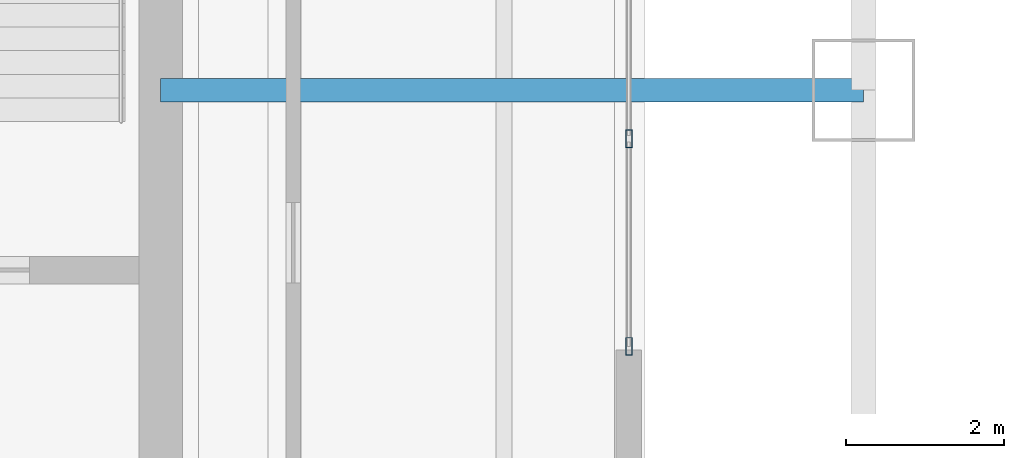
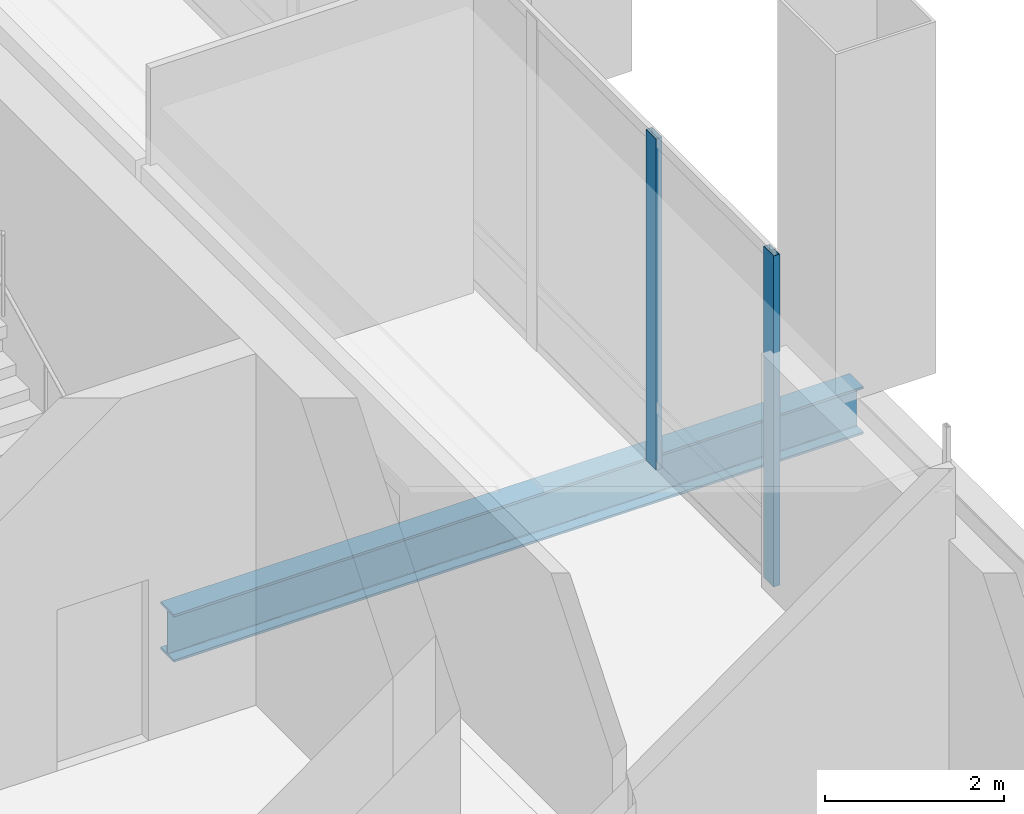
# One storey, part 12 of 33: 2 members, 1 beam, 1 element without a shape of its own.
"""IFC4 building model written with IfcOpenShell, lengths in metres."""

import ifcopenshell
import ifcopenshell.guid

model = None  # the IFC model being written
_history = None  # IfcOwnerHistory: only IFC2X3 demands one
_inside = {}  # id of a spatial element -> (the spatial element, [elements in it])
_under = {}  # id of a project, library or spatial element -> (it, [spatial elements below it])
_declared = {}  # id of a project -> (the project, [libraries it declares])
_typed = {}  # id of a type object -> (the type object, [elements of that type])
_made_of = {}  # id of a material, layer set ... -> (it, [elements and type objects made of it])


def new_model(schema):
    """Start an empty IFC model of exactly this schema.

    Asked for "IFC4X3", IfcOpenShell would pick the latest addendum, in which some entities
    have other attributes; the version numbers below select the first issue.
    IFC2X3 requires an IfcOwnerHistory on every rooted entity: one is made here for all.
    """
    global model, _history
    if schema == "IFC4X3":
        model = ifcopenshell.file(schema_version=(4, 3, 0, 0))
    else:
        model = ifcopenshell.file(schema=schema)
    _inside.clear()
    _under.clear()
    _declared.clear()
    _typed.clear()
    _made_of.clear()
    _history = None
    if model.schema == "IFC2X3":
        org = make("IfcOrganization", Name="unknown")
        user = make(
            "IfcPersonAndOrganization",
            ThePerson=make("IfcPerson", FamilyName="unknown"),
            TheOrganization=org,
        )
        app = make(
            "IfcApplication",
            ApplicationDeveloper=org,
            Version="unknown",
            ApplicationFullName="unknown",
            ApplicationIdentifier="unknown",
        )
        _history = make(
            "IfcOwnerHistory",
            OwningUser=user,
            OwningApplication=app,
            ChangeAction="ADDED",
            CreationDate=0,
        )
    return model


def make(cls, **values):
    """One entity of the class cls with the attributes given. An attribute that is None is left unset."""
    return model.create_entity(
        cls, **{name: value for name, value in values.items() if value is not None}
    )


def rooted(cls, **values):
    """An entity with a GlobalId (a new one), such as an element, a storey or a relation."""
    return make(cls, GlobalId=ifcopenshell.guid.new(), OwnerHistory=_history, **values)


def si_unit(unit_type, name, prefix=None):
    """IfcSIUnit, for example si_unit("LENGTHUNIT", "METRE", prefix="MILLI")."""
    return make("IfcSIUnit", UnitType=unit_type, Prefix=prefix, Name=name)


def assignment(units):
    """IfcUnitAssignment: the units of a project."""
    return None if units is None else make("IfcUnitAssignment", Units=units)


def point(xyz):
    """IfcCartesianPoint."""
    return None if xyz is None else make("IfcCartesianPoint", Coordinates=xyz)


def direction(xyz):
    """IfcDirection."""
    return None if xyz is None else make("IfcDirection", DirectionRatios=xyz)


def frame(location, z_axis=None, x_axis=None):
    """IfcAxis2Placement3D, a coordinate frame: its origin and axes. An axis left out is left unset."""
    return make(
        "IfcAxis2Placement3D",
        Location=point(location),
        Axis=direction(z_axis),
        RefDirection=direction(x_axis),
    )


def frame_2d(location, x_axis=None):
    """IfcAxis2Placement2D, a coordinate frame in the plane: its origin and x axis."""
    return make(
        "IfcAxis2Placement2D", Location=point(location), RefDirection=direction(x_axis)
    )


def origin():
    """The frame at (0, 0, 0) with its axes left unset."""
    return frame((0.0, 0.0, 0.0))


def origin_2d():
    """The frame at (0, 0) in the plane with its x axis left unset."""
    return frame_2d((0.0, 0.0))


def place(relative_to, where):
    """IfcLocalPlacement: puts the frame where relative to a parent placement (None: the world)."""
    return make(
        "IfcLocalPlacement", PlacementRelTo=relative_to, RelativePlacement=where
    )


def context(
    kind, dimensions, precision=None, world=None, true_north=None, identifier=None
):
    """IfcGeometricRepresentationContext, for example the 3D "Model" context."""
    return make(
        "IfcGeometricRepresentationContext",
        ContextIdentifier=identifier,
        ContextType=kind,
        CoordinateSpaceDimension=dimensions,
        Precision=precision,
        WorldCoordinateSystem=world,
        TrueNorth=true_north,
    )


def subcontext(parent, identifier, kind, view, scale=None):
    """IfcGeometricRepresentationSubContext, for example "Body" below "Model"."""
    return make(
        "IfcGeometricRepresentationSubContext",
        ContextIdentifier=identifier,
        ContextType=kind,
        ParentContext=parent,
        TargetScale=scale,
        TargetView=view,
    )


def project(units=None, contexts=None):
    """IfcProject with its units and contexts."""
    return rooted(
        "IfcProject",
        Name="project",
        RepresentationContexts=contexts,
        UnitsInContext=assignment(units),
    )


def spatial(cls, under=None, at=None, **own):
    """A site, building, storey or space (cls), placed at a placement, below another one or the project."""
    s = rooted(cls, ObjectPlacement=at, **own)
    if under is not None:
        _under.setdefault(under.id(), (under, []))[1].append(s)
    return s


def profile(cls, at=None, kind="AREA", **sizes):
    """A parametric profile (cls). Its sizes go by their IFC names, for example OverallWidth=200.0."""
    return make(cls, ProfileType=kind, Position=at, **sizes)


def hollow_rectangle(**sizes):
    """IfcRectangleHollowProfileDef."""
    return profile("IfcRectangleHollowProfileDef", **sizes)


def i_section(**sizes):
    """IfcIShapeProfileDef."""
    return profile("IfcIShapeProfileDef", **sizes)


def extrude(swept, where, along, depth):
    """IfcExtrudedAreaSolid: the profile swept, set in the frame where, extruded along a direction by depth."""
    return make(
        "IfcExtrudedAreaSolid",
        SweptArea=swept,
        Position=where,
        ExtrudedDirection=direction(along),
        Depth=depth,
    )


def shape(context_of_items, identifier, shape_type, items):
    """IfcShapeRepresentation: the items that make up one representation, for example the "Body"."""
    return make(
        "IfcShapeRepresentation",
        ContextOfItems=context_of_items,
        RepresentationIdentifier=identifier,
        RepresentationType=shape_type,
        Items=items,
    )


def material(Name=None, Category=None):
    """IfcMaterial."""
    return make("IfcMaterial", Name=Name, Category=Category)


def material_profile(
    of_material, cross_section, Name=None, Category=None, Priority=None
):
    """IfcMaterialProfile: a cross section and its material."""
    return make(
        "IfcMaterialProfile",
        Name=Name,
        Material=of_material,
        Profile=cross_section,
        Priority=Priority,
        Category=Category,
    )


def profile_set(profiles, Name=None, composite=None):
    """IfcMaterialProfileSet."""
    return make(
        "IfcMaterialProfileSet",
        Name=Name,
        MaterialProfiles=profiles,
        CompositeProfile=composite,
    )


def made_of(thing, what):
    """Note that an element or type object is made of a material, layer set ...; save() writes the relation."""
    if what is not None:
        _made_of.setdefault(what.id(), (what, []))[1].append(thing)
    return thing


def type_object(cls, material=None, **own):
    """A type object (cls), such as IfcWallType, which elements share."""
    return made_of(rooted(cls, **own), material)


def element(
    cls,
    number,
    at=None,
    inside=None,
    cuts=None,
    type_object=None,
    material=None,
    context=None,
    identifier="Body",
    shape_type=None,
    held_by="IfcProductDefinitionShape",
    body=None,
    shapes=None,
    **own,
):
    """One element of the class cls, such as IfcWall. Its Tag is "e" and its number.

    at: its placement. inside: the storey or other place that contains it. cuts: it is an
    opening in that element (IfcRelVoidsElement). A single representation is given by context,
    identifier, shape_type and body (its items); several are given by shapes. held_by: the class
    of the entity that holds the representations. save() writes the other relations.
    """
    e = rooted(cls, Tag="e%d" % number, ObjectPlacement=at, **own)
    if body is not None:
        shapes = [shape(context, identifier, shape_type, body)]
    if shapes is not None:
        e.Representation = make(held_by, Representations=shapes)
    if inside is not None:
        _inside.setdefault(inside.id(), (inside, []))[1].append(e)
    if cuts is not None:
        rooted(
            "IfcRelVoidsElement", RelatingBuildingElement=cuts, RelatedOpeningElement=e
        )
    if type_object is not None:
        _typed.setdefault(type_object.id(), (type_object, []))[1].append(e)
    return made_of(e, material)


def aggregate(whole, parts):
    """IfcRelAggregates: a whole, such as a stair, and the parts it consists of."""
    return rooted("IfcRelAggregates", RelatingObject=whole, RelatedObjects=parts)


def save(model, path):
    """Write the relations noted so far, then the file.

    IfcRelAggregates (storeys below a building ...), IfcRelContainedInSpatialStructure (elements
    in a storey), IfcRelDefinesByType, IfcRelAssociatesMaterial and IfcRelDeclares: one each for
    every whole, place, type object, material and project.
    """
    for whole, parts in _under.values():
        aggregate(whole, parts)
    for where, things in _inside.values():
        rooted(
            "IfcRelContainedInSpatialStructure",
            RelatedElements=things,
            RelatingStructure=where,
        )
    for kind, things in _typed.values():
        rooted("IfcRelDefinesByType", RelatedObjects=things, RelatingType=kind)
    for what, things in _made_of.values():
        rooted("IfcRelAssociatesMaterial", RelatedObjects=things, RelatingMaterial=what)
    for by, libraries in _declared.values():
        rooted("IfcRelDeclares", RelatingContext=by, RelatedDefinitions=libraries)
    model.write(path)


model = new_model("IFC4")

# Units and contexts
model_context = context("Model", 3, precision=1e-05, world=origin(), true_north=direction((0.0, 1.0)))
body_context = subcontext(model_context, "Body", "Model", "MODEL_VIEW")
ifc_project = project(units=[si_unit("LENGTHUNIT", "METRE"), si_unit("AREAUNIT", "SQUARE_METRE"), si_unit("VOLUMEUNIT", "CUBIC_METRE"), si_unit("PLANEANGLEUNIT", "RADIAN"), si_unit("MASSUNIT", "GRAM", prefix="KILO")], contexts=[model_context])

# Site, building, storey
site_placement = place(None, origin())
site = spatial("IfcSite", under=ifc_project, at=site_placement, CompositionType="ELEMENT")
building_placement = place(site_placement, origin())
building = spatial("IfcBuilding", under=site, at=building_placement, Name="Punatoya Terracotta Tower", CompositionType="ELEMENT")
storey_placement = place(building_placement, frame((0.0, 0.0, 246.60009765625)))
storey = spatial("IfcBuildingStorey", under=building, at=storey_placement, Name="L58", CompositionType="ELEMENT", Elevation=246.60009765625)

# Beam
ifc_material_1 = material(Name="Steel S355", Category="steel")
ifc_material_profile_1 = material_profile(ifc_material_1, i_section(OverallWidth=0.300048828125, OverallDepth=0.64990234375, WebThickness=0.01611328125, FlangeThickness=0.031005859375, FilletRadius=0.01806640625, at=origin_2d()))
ifc_profile_set_1 = profile_set([ifc_material_profile_1], Name="Steel S355")
beam_type = type_object("IfcBeamType", Name="BM-PRI-650", PredefinedType="BEAM", material=ifc_profile_set_1)
beam_placement = place(storey_placement, frame((10.199951171875, -3.39990234375, -0.585205078125), z_axis=(1.0, 0.0, 0.0), x_axis=(0.0, 1.0, 0.0)))
element("IfcBeam", 1, at=beam_placement, inside=storey, type_object=beam_type, Name="BM-L58-PR-ED", PredefinedType="BEAM", context=body_context, shape_type="SweptSolid", body=[
    extrude(i_section(OverallWidth=0.300048828125, OverallDepth=0.64990234375, WebThickness=0.01611328125, FlangeThickness=0.031005859375, FilletRadius=0.01806640625, at=origin_2d()), origin(), (0.0, 0.0, 1.0), 8.900146484375),
])

# Curtain wall, members
ifc_material_2 = material(Name="Aluminium 6063-T6 + Double Low-E Glass", Category="aluminium")
curtain_wall_type = type_object("IfcCurtainWallType", Name="CW-NCK", PredefinedType="NOTDEFINED", material=ifc_material_2)
curtain_wall_placement = place(storey_placement, origin())
curtain_wall = element("IfcCurtainWall", 2, at=curtain_wall_placement, inside=storey, type_object=curtain_wall_type, Name="L58 Curtain Wall CW-L58-E05-1", PredefinedType="NOTDEFINED")
ifc_material_3 = material(Name="Aluminium 6063-T6", Category="aluminium")
ifc_material_profile_2 = material_profile(ifc_material_3, hollow_rectangle(XDim=0.080078125, YDim=0.22509765625, WallThickness=0.0048828125, at=origin_2d()))
ifc_profile_set_2 = profile_set([ifc_material_profile_2], Name="Aluminium 6063-T6")
member_type = type_object("IfcMemberType", Name="CW-MUL-NCK", PredefinedType="MULLION", material=ifc_profile_set_2)
member_1_placement = place(storey_placement, frame((16.1298828125, -6.64501953125, 0.0), z_axis=(0.0, 0.0, 1.0), x_axis=(1.0, 0.0, 0.0)))
member_1 = element("IfcMember", 3, at=member_1_placement, type_object=member_type, Name="CW-L58-E05-1 Mullion 00", PredefinedType="MULLION", context=body_context, shape_type="SweptSolid", body=[
    extrude(hollow_rectangle(XDim=0.080078125, YDim=0.22509765625, WallThickness=0.0048828125, at=origin_2d()), origin(), (0.0, 0.0, 1.0), 4.52001953125),
])
member_2_placement = place(storey_placement, frame((16.1298828125, -4.013916015625, 0.0), z_axis=(0.0, 0.0, 1.0), x_axis=(1.0, 0.0, 0.0)))
member_2 = element("IfcMember", 4, at=member_2_placement, type_object=member_type, Name="CW-L58-E05-1 Mullion 01", PredefinedType="MULLION", context=body_context, shape_type="SweptSolid", body=[
    extrude(hollow_rectangle(XDim=0.080078125, YDim=0.22509765625, WallThickness=0.0048828125, at=origin_2d()), origin(), (0.0, 0.0, 1.0), 4.52001953125),
])
aggregate(curtain_wall, [member_1, member_2])

save(model, "model.ifc")
